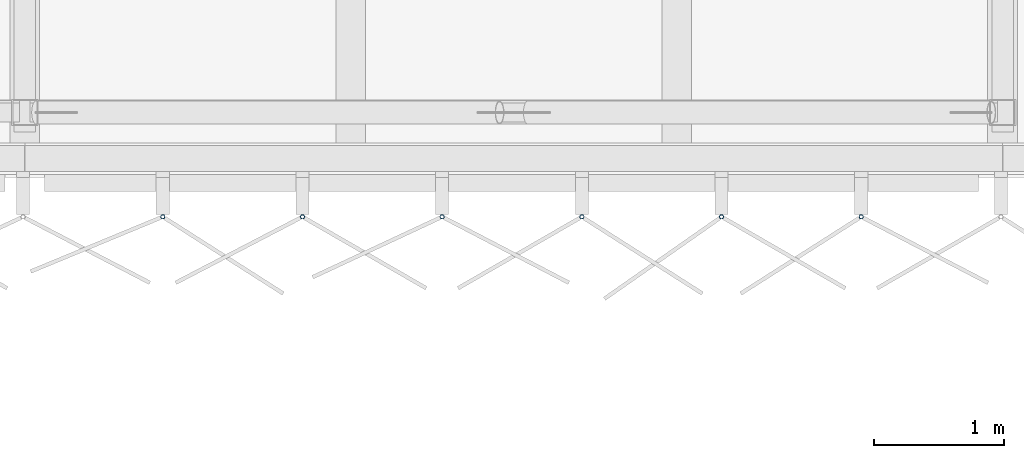
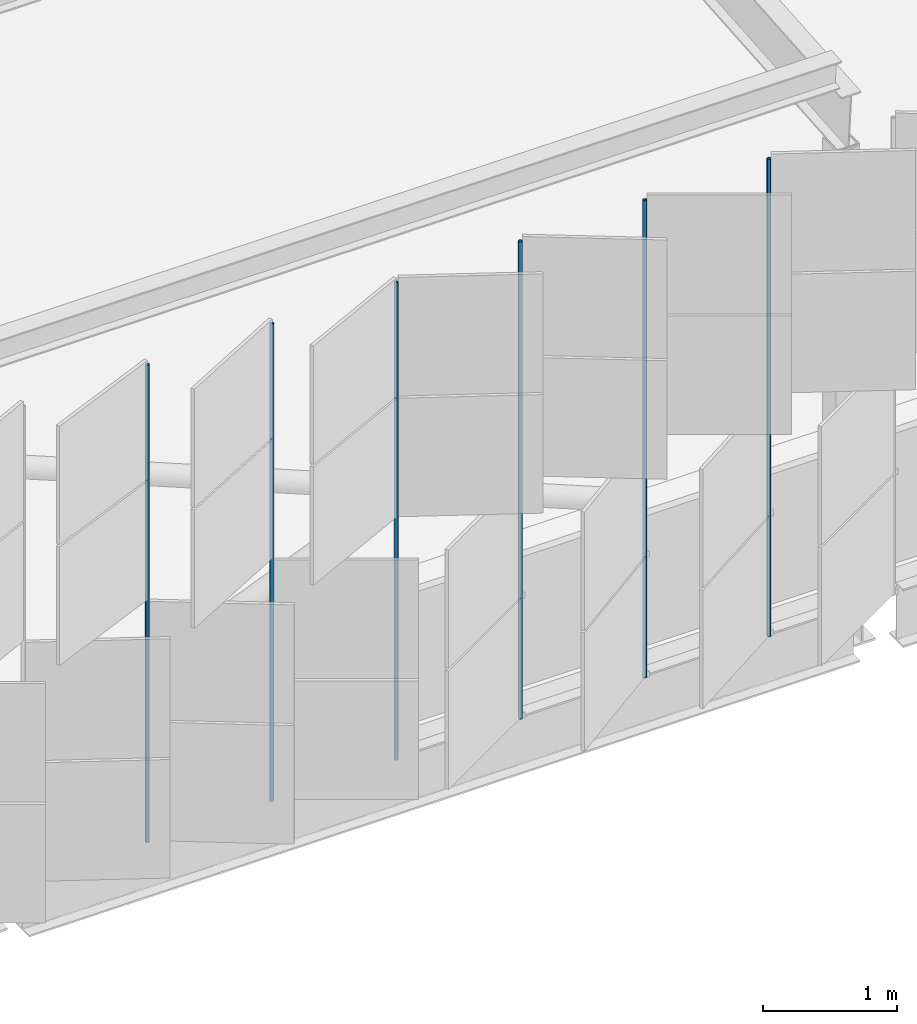
# One storey, part 139 of 483: 6 discrete accessories.
"""IFC4 building model written with IfcOpenShell, lengths in metres."""

from ifc_helpers import new_model, si_unit, direction, frame, origin, origin_2d, place, context, subcontext, project, spatial, hollow_circle, extrude, material, material_profile, profile_set, type_object, element, save


model = new_model("IFC4")

# Units and contexts
model_context = context("Model", 3, precision=1e-05, world=origin(), true_north=direction((0.0, 1.0)))
body_context = subcontext(model_context, "Body", "Model", "MODEL_VIEW")
ifc_project = project(units=[si_unit("LENGTHUNIT", "METRE"), si_unit("AREAUNIT", "SQUARE_METRE"), si_unit("VOLUMEUNIT", "CUBIC_METRE"), si_unit("PLANEANGLEUNIT", "RADIAN"), si_unit("MASSUNIT", "GRAM", prefix="KILO")], contexts=[model_context])

# Site, building, storey
site_placement = place(None, origin())
site = spatial("IfcSite", under=ifc_project, at=site_placement, CompositionType="ELEMENT")
building_placement = place(site_placement, origin())
building = spatial("IfcBuilding", under=site, at=building_placement, Name="Parallax Yard Mobility Hub", CompositionType="ELEMENT")
storey_placement = place(building_placement, frame((0.0, 0.0, 13.199951171875)))
storey = spatial("IfcBuildingStorey", under=building, at=storey_placement, Name="L04", CompositionType="ELEMENT", Elevation=13.199951171875)

# Discrete accessories
ifc_material = material(Name="Steel ASTM A500 Gr C, hot-dip galvanised", Category="steel")
ifc_material_profile = material_profile(ifc_material, hollow_circle(Radius=0.016845703125, WallThickness=0.003173828125, at=origin_2d()), Name="CHS 33.7x3.2")
ifc_profile_set = profile_set([ifc_material_profile], Name="Steel ASTM A500 Gr C, hot-dip galvanised")
discrete_accessory_type = type_object("IfcDiscreteAccessoryType", Name="Hinge post CHS 33.7x3.2", PredefinedType="BRACKET", material=ifc_profile_set)
for number, where, z_axis, x_axis, name in (
    (1, (53.558349609375, 112.199951171875, 0.0), (0.0, 0.0, 1.0), (1.0, 0.0, 0.0), "Hinge post bay 4.2 level L04"),
    (2, (54.6298828125, 112.199951171875, 0.0), (0.0, 0.0, 1.0), (1.0, 0.0, 0.0), "Hinge post bay 4.3 level L04"),
    (3, (55.701416015625, 112.199951171875, 0.0), (0.0, 0.0, 1.0), (1.0, 0.0, 0.0), "Hinge post bay 4.4 level L04"),
    (4, (56.772705078125, 112.199951171875, 0.0), (0.0, 0.0, 1.0), (1.0, 0.0, 0.0), "Hinge post bay 4.5 level L04"),
    (5, (57.84423828125, 112.199951171875, 0.0), (0.0, 0.0, 1.0), (1.0, 0.0, 0.0), "Hinge post bay 4.6 level L04"),
    (6, (58.915771484375, 112.199951171875, 0.0), (0.0, 0.0, 1.0), (1.0, 0.0, 0.0), "Hinge post bay 4.7 level L04"),
):
    element("IfcDiscreteAccessory", number, at=place(storey_placement, frame(where, z_axis=z_axis, x_axis=x_axis)), inside=storey, type_object=discrete_accessory_type, Name=name, PredefinedType="BRACKET", context=body_context, shape_type="SweptSolid", body=[
        extrude(hollow_circle(Radius=0.016845703125, WallThickness=0.003173828125, at=origin_2d()), origin(), (0.0, 0.0, 1.0), 4.35009765625),
    ])

save(model, "model.ifc")
